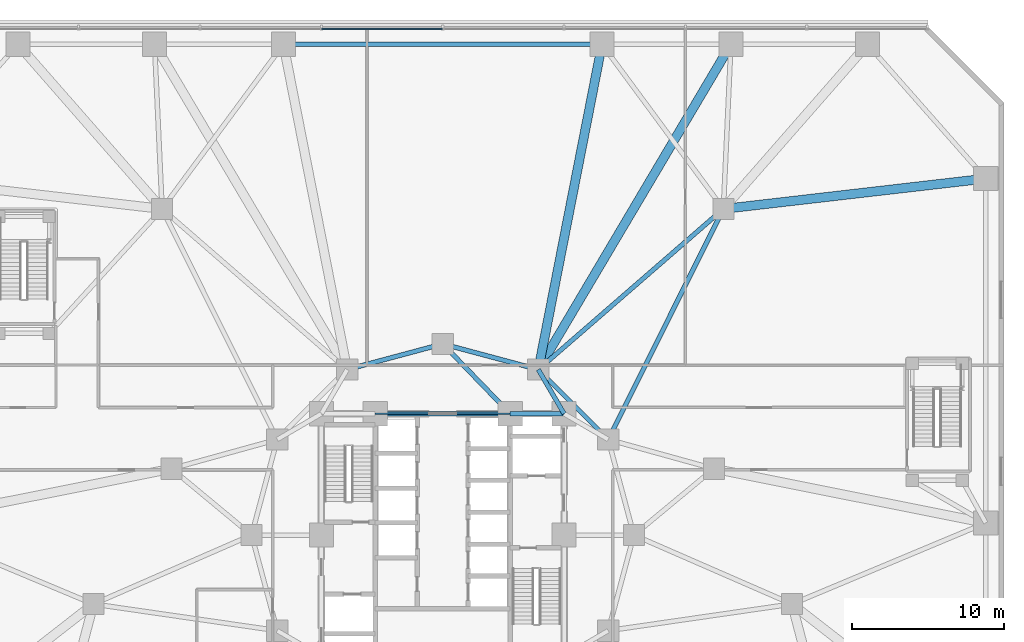
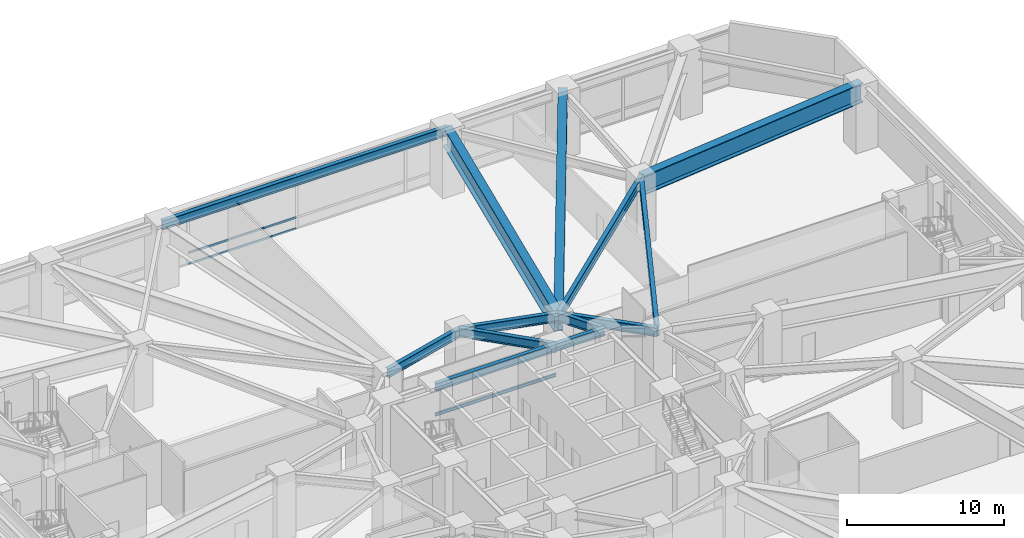
# One storey, part 10 of 27: 14 beams, 3 members, 1 element without a shape of its own.
"""IFC4 building model written with IfcOpenShell, lengths in metres."""

from ifc_helpers import new_model, si_unit, direction, frame, origin, origin_2d, place, context, subcontext, project, spatial, rectangle, i_section, extrude, material, layer, layer_set, material_profile, profile_set, type_object, element, aggregate, save


model = new_model("IFC4")

# Units and contexts
model_context = context("Model", 3, precision=1e-05, world=origin(), true_north=direction((0.0, 1.0)))
body_context = subcontext(model_context, "Body", "Model", "MODEL_VIEW")
ifc_project = project(units=[si_unit("LENGTHUNIT", "METRE"), si_unit("AREAUNIT", "SQUARE_METRE"), si_unit("VOLUMEUNIT", "CUBIC_METRE"), si_unit("PLANEANGLEUNIT", "RADIAN"), si_unit("MASSUNIT", "GRAM", prefix="KILO")], contexts=[model_context])

# Site, building, storey
site_placement = place(None, origin())
site = spatial("IfcSite", under=ifc_project, at=site_placement, CompositionType="ELEMENT")
building_placement = place(site_placement, origin())
building = spatial("IfcBuilding", under=site, at=building_placement, Name="Terralouvre Media Tower", CompositionType="ELEMENT")
storey_placement = place(building_placement, frame((0.0, 0.0, 5.199951171875)))
storey = spatial("IfcBuildingStorey", under=building, at=storey_placement, Name="L01", CompositionType="ELEMENT", Elevation=5.199951171875)

# Curtain wall, members
ifc_material_1 = material(Name="Low-iron laminated double glazing with solar-control coating", Category="glass")
ifc_layer = layer(ifc_material_1, 0.1650390625, Name="Podium Broadcast Gallery Glazing CW-01")
ifc_layer_set = layer_set([ifc_layer], Name="Low-iron laminated double glazing with solar-control coating")
curtain_wall_type = type_object("IfcCurtainWallType", Name="Podium Broadcast Gallery Glazing CW-01", PredefinedType="NOTDEFINED", material=ifc_layer_set)
curtain_wall_placement = place(storey_placement, origin())
curtain_wall = element("IfcCurtainWall", 1, at=curtain_wall_placement, inside=storey, type_object=curtain_wall_type, Name="L01 Podium Curtain Wall F4", PredefinedType="NOTDEFINED")
ifc_material_2 = material(Name="Anodised extruded aluminium 6063-T6", Category="aluminium")
ifc_material_profile_1 = material_profile(ifc_material_2, rectangle(XDim=0.074951171875, YDim=0.14990234375, at=origin_2d()), Name="ALU 75x150")
ifc_profile_set_1 = profile_set([ifc_material_profile_1], Name="Anodised extruded aluminium 6063-T6")
member_type = type_object("IfcMemberType", Name="Curtain-Wall Horizontal Transom TR-150", PredefinedType="USERDEFINED", material=ifc_profile_set_1)
member_1_placement = place(storey_placement, frame((-0.03759765625, 33.360107421875, 0.03759765625), z_axis=(-1.0, 0.0, 0.0), x_axis=(0.0, -1.0, 0.0)))
member_1 = element("IfcMember", 2, at=member_1_placement, type_object=member_type, Name="CW-01 transom 5.1", ObjectType="TRANSOM", PredefinedType="USERDEFINED", context=body_context, shape_type="SweptSolid", body=[
    extrude(rectangle(XDim=0.074951171875, YDim=0.14990234375, at=origin_2d()), origin(), (0.0, 0.0, 1.0), 7.9248046875),
])
member_2_placement = place(storey_placement, frame((-0.03759765625, 33.360107421875, 0.900146484375), z_axis=(-1.0, 0.0, 0.0), x_axis=(0.0, -1.0, 0.0)))
member_2 = element("IfcMember", 3, at=member_2_placement, type_object=member_type, Name="CW-01 transom 5.2", ObjectType="TRANSOM", PredefinedType="USERDEFINED", context=body_context, shape_type="SweptSolid", body=[
    extrude(rectangle(XDim=0.074951171875, YDim=0.14990234375, at=origin_2d()), origin(), (0.0, 0.0, 1.0), 7.9248046875),
])
member_3_placement = place(storey_placement, frame((-0.03759765625, 33.360107421875, 4.192626953125), z_axis=(-1.0, 0.0, 0.0), x_axis=(0.0, -1.0, 0.0)))
member_3 = element("IfcMember", 4, at=member_3_placement, type_object=member_type, Name="CW-01 transom 5.3", ObjectType="TRANSOM", PredefinedType="USERDEFINED", context=body_context, shape_type="SweptSolid", body=[
    extrude(rectangle(XDim=0.074951171875, YDim=0.14990234375, at=origin_2d()), origin(), (0.0, 0.0, 1.0), 7.9248046875),
])
aggregate(curtain_wall, [member_1, member_2, member_3])

# Beams
ifc_material_3 = material(Name="Structural steel S355J2", Category="steel")
ifc_material_profile_2 = material_profile(ifc_material_3, i_section(OverallWidth=0.1201171875, OverallDepth=0.239990234375, WebThickness=0.006103515625, FlangeThickness=0.009765625, at=origin_2d()), Name="IPE 240")
ifc_profile_set_2 = profile_set([ifc_material_profile_2], Name="Structural steel S355J2")
beam_type_1 = type_object("IfcBeamType", Name="Opening Lintel Beam LN-240 (IPE 240)", PredefinedType="LINTEL", material=ifc_profile_set_2)
beam_1_placement = place(storey_placement, frame((-4.449951171875, 8.0, 2.469970703125), z_axis=(1.0, 0.0, 0.0), x_axis=(0.0, 1.0, 0.0)))
element("IfcBeam", 5, at=beam_1_placement, inside=storey, type_object=beam_type_1, Name="L01 Core North Portal Lintel LN-04", PredefinedType="LINTEL", context=body_context, shape_type="SweptSolid", body=[
    extrude(i_section(OverallWidth=0.1201171875, OverallDepth=0.239990234375, WebThickness=0.006103515625, FlangeThickness=0.009765625, at=origin_2d()), origin(), (0.0, 0.0, 1.0), 8.89990234375),
])
ifc_material_4 = material(Name="Structural steel S460M", Category="steel")
ifc_material_profile_3 = material_profile(ifc_material_4, i_section(OverallWidth=0.300048828125, OverallDepth=0.60009765625, WebThickness=0.015380859375, FlangeThickness=0.030029296875, at=origin_2d()), Name="HEB 600")
ifc_profile_set_3 = profile_set([ifc_material_profile_3], Name="Structural steel S460M")
beam_type_2 = type_object("IfcBeamType", Name="Primary Floor Girder B-HEB600 (HEB 600)", PredefinedType="BEAM", material=ifc_profile_set_3)
beam_2_placement = place(storey_placement, frame((8.0, 8.0, 4.650146484375), z_axis=(-1.0, 0.0, 0.0), x_axis=(0.0, -1.0, 0.0)))
element("IfcBeam", 6, at=beam_2_placement, inside=storey, type_object=beam_type_2, Name="L01 Framing Beam BM-L01-CPR06", PredefinedType="BEAM", context=body_context, shape_type="SweptSolid", body=[
    extrude(i_section(OverallWidth=0.300048828125, OverallDepth=0.60009765625, WebThickness=0.015380859375, FlangeThickness=0.030029296875, at=origin_2d()), origin(), (0.0, 0.0, 1.0), 3.550048828125),
])
beam_3_placement = place(storey_placement, frame((4.449951171875, 8.0, 4.650146484375), z_axis=(-1.0, 0.0, 0.0), x_axis=(0.0, -1.0, 0.0)))
element("IfcBeam", 7, at=beam_3_placement, inside=storey, type_object=beam_type_2, Name="L01 Framing Beam BM-L01-CPR07", PredefinedType="BEAM", context=body_context, shape_type="SweptSolid", body=[
    extrude(i_section(OverallWidth=0.300048828125, OverallDepth=0.60009765625, WebThickness=0.015380859375, FlangeThickness=0.030029296875, at=origin_2d()), origin(), (0.0, 0.0, 1.0), 8.89990234375),
])
ifc_material_5 = material(Name="Structural steel S460M", Category="steel")
ifc_material_profile_4 = material_profile(ifc_material_5, i_section(OverallWidth=0.300048828125, OverallDepth=0.699951171875, WebThickness=0.01708984375, FlangeThickness=0.031982421875, at=origin_2d()), Name="HEB 700")
ifc_profile_set_4 = profile_set([ifc_material_profile_4], Name="Structural steel S460M")
beam_type_3 = type_object("IfcBeamType", Name="Primary Floor Girder B-HEB700 (HEB 700)", PredefinedType="BEAM", material=ifc_profile_set_4)
beam_4_placement = place(storey_placement, frame((10.911865234375, 6.300048828125, 4.60009765625), z_axis=(-0.707106781187, 0.707106781187, 0.0), x_axis=(-0.707106781187, -0.707106781187, 0.0)))
element("IfcBeam", 8, at=beam_4_placement, inside=storey, type_object=beam_type_3, Name="L01 Framing Beam BM-L01-MR07", PredefinedType="BEAM", context=body_context, shape_type="SweptSolid", body=[
    extrude(i_section(OverallWidth=0.300048828125, OverallDepth=0.699951171875, WebThickness=0.01708984375, FlangeThickness=0.031982421875, at=origin_2d()), origin(), (0.0, 0.0, 1.0), 6.52197265625),
])
for number, where, z_axis, x_axis, name in (
    (9, (6.300048828125, 10.911865234375, 4.60009765625), (-0.965920481897, 0.258838989821, 0.0), (-0.258838989821, -0.965920481897, 0.0), "L01 Framing Beam BM-L01-MR08"),
    (10, (0.0, 12.60009765625, 4.60009765625), (-0.965920481897, -0.258838989821, 0.0), (0.258838989821, -0.965920481897, 0.0), "L01 Framing Beam BM-L01-MR09"),
):
    element("IfcBeam", number, at=place(storey_placement, frame(where, z_axis=z_axis, x_axis=x_axis)), inside=storey, type_object=beam_type_3, Name=name, PredefinedType="BEAM", context=body_context, shape_type="SweptSolid", body=[
        extrude(i_section(OverallWidth=0.300048828125, OverallDepth=0.699951171875, WebThickness=0.01708984375, FlangeThickness=0.031982421875, at=origin_2d()), origin(), (0.0, 0.0, 1.0), 6.522216796875),
    ])
beam_5_placement = place(storey_placement, frame((8.0, 8.0, 4.60009765625), z_axis=(-0.504172629717, 0.863602894532, 0.0), x_axis=(-0.863602894532, -0.504172629717, 0.0)))
element("IfcBeam", 11, at=beam_5_placement, inside=storey, type_object=beam_type_3, Name="L01 Framing Beam BM-L01-CM08", PredefinedType="BEAM", context=body_context, shape_type="SweptSolid", body=[
    extrude(i_section(OverallWidth=0.300048828125, OverallDepth=0.699951171875, WebThickness=0.01708984375, FlangeThickness=0.031982421875, at=origin_2d()), origin(), (0.0, 0.0, 1.0), 3.371826171875),
])
beam_6_placement = place(storey_placement, frame((4.449951171875, 8.0, 4.60009765625), z_axis=(-0.695279715726, 0.718739255155, 0.0), x_axis=(-0.718739255155, -0.695279715726, 0.0)))
element("IfcBeam", 12, at=beam_6_placement, inside=storey, type_object=beam_type_3, Name="L01 Framing Beam BM-L01-CM09", PredefinedType="BEAM", context=body_context, shape_type="SweptSolid", body=[
    extrude(i_section(OverallWidth=0.300048828125, OverallDepth=0.699951171875, WebThickness=0.01708984375, FlangeThickness=0.031982421875, at=origin_2d()), origin(), (0.0, 0.0, 1.0), 6.400146484375),
])
beam_7_placement = place(storey_placement, frame((6.300048828125, 10.911865234375, 4.60009765625), z_axis=(0.755234116228, 0.65545513171, 0.0), x_axis=(-0.65545513171, 0.755234116228, 0.0)))
element("IfcBeam", 13, at=beam_7_placement, inside=storey, type_object=beam_type_3, Name="L01 Framing Beam BM-L01-PM20M1", PredefinedType="BEAM", context=body_context, shape_type="SweptSolid", body=[
    extrude(i_section(OverallWidth=0.300048828125, OverallDepth=0.699951171875, WebThickness=0.01708984375, FlangeThickness=0.031982421875, at=origin_2d()), origin(), (0.0, 0.0, 1.0), 16.15380859375),
])
beam_8_placement = place(storey_placement, frame((10.911865234375, 6.300048828125, 4.60009765625), z_axis=(0.446655925193, 0.894705808906, 0.0), x_axis=(-0.894705808906, 0.446655925193, 0.0)))
element("IfcBeam", 14, at=beam_8_placement, inside=storey, type_object=beam_type_3, Name="L01 Framing Beam BM-L01-PM20M2", PredefinedType="BEAM", context=body_context, shape_type="SweptSolid", body=[
    extrude(i_section(OverallWidth=0.300048828125, OverallDepth=0.699951171875, WebThickness=0.01708984375, FlangeThickness=0.031982421875, at=origin_2d()), origin(), (0.0, 0.0, 1.0), 16.98876953125),
])
beam_9_placement = place(storey_placement, frame((10.5, 32.35009765625, 4.60009765625), z_axis=(-1.0, 0.0, 0.0), x_axis=(0.0, -1.0, 0.0)))
element("IfcBeam", 15, at=beam_9_placement, inside=storey, type_object=beam_type_3, Name="L01 Framing Beam BM-L01-PR13", PredefinedType="BEAM", context=body_context, shape_type="SweptSolid", body=[
    extrude(i_section(OverallWidth=0.300048828125, OverallDepth=0.699951171875, WebThickness=0.01708984375, FlangeThickness=0.031982421875, at=origin_2d()), origin(), (0.0, 0.0, 1.0), 21.0),
])
ifc_material_6 = material(Name="Structural steel S460M", Category="steel")
ifc_material_profile_5 = material_profile(ifc_material_6, i_section(OverallWidth=0.60009765625, OverallDepth=1.5, WebThickness=0.033935546875, FlangeThickness=0.054931640625, at=origin_2d()), Name="PG 1500x600")
ifc_profile_set_5 = profile_set([ifc_material_profile_5], Name="Structural steel S460M")
beam_type_4 = type_object("IfcBeamType", Name="Primary Floor Girder B-PG1500 (PG 1500x600)", PredefinedType="BEAM", material=ifc_profile_set_5)
beam_10_placement = place(storey_placement, frame((18.5, 21.5, 4.199951171875), z_axis=(0.993383801046, 0.114841733791, 0.0), x_axis=(-0.114841733791, 0.993383801046, 0.0)))
element("IfcBeam", 16, at=beam_10_placement, inside=storey, type_object=beam_type_4, Name="L01 Framing Beam BM-L01-RD10", PredefinedType="BEAM", context=body_context, shape_type="SweptSolid", body=[
    extrude(i_section(OverallWidth=0.60009765625, OverallDepth=1.5, WebThickness=0.033935546875, FlangeThickness=0.054931640625, at=origin_2d()), origin(), (0.0, 0.0, 1.0), 17.415283203125),
])
beam_11_placement = place(storey_placement, frame((6.300048828125, 10.911865234375, 4.199951171875), z_axis=(0.509678035934, 0.860365212969, 0.0), x_axis=(-0.860365212969, 0.509678035934, 0.0)))
element("IfcBeam", 17, at=beam_11_placement, inside=storey, type_object=beam_type_4, Name="L01 Framing Beam BM-L01-RD12", PredefinedType="BEAM", context=body_context, shape_type="SweptSolid", body=[
    extrude(i_section(OverallWidth=0.60009765625, OverallDepth=1.5, WebThickness=0.033935546875, FlangeThickness=0.054931640625, at=origin_2d()), origin(), (0.0, 0.0, 1.0), 24.91748046875),
])
beam_12_placement = place(storey_placement, frame((6.300048828125, 10.911865234375, 4.199951171875), z_axis=(0.192254717948, 0.981345058288, 0.0), x_axis=(-0.981345058288, 0.192254717948, 0.0)))
element("IfcBeam", 18, at=beam_12_placement, inside=storey, type_object=beam_type_4, Name="L01 Framing Beam BM-L01-RD13", PredefinedType="BEAM", context=body_context, shape_type="SweptSolid", body=[
    extrude(i_section(OverallWidth=0.60009765625, OverallDepth=1.5, WebThickness=0.033935546875, FlangeThickness=0.054931640625, at=origin_2d()), origin(), (0.0, 0.0, 1.0), 21.845703125),
])

save(model, "model.ifc")
